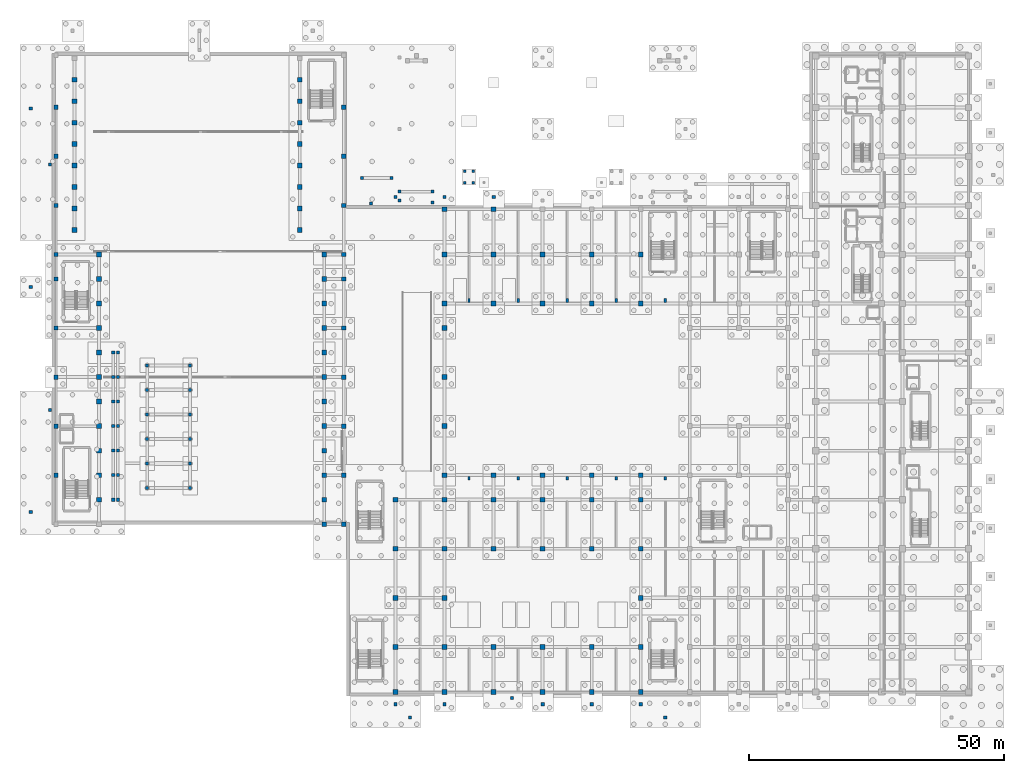
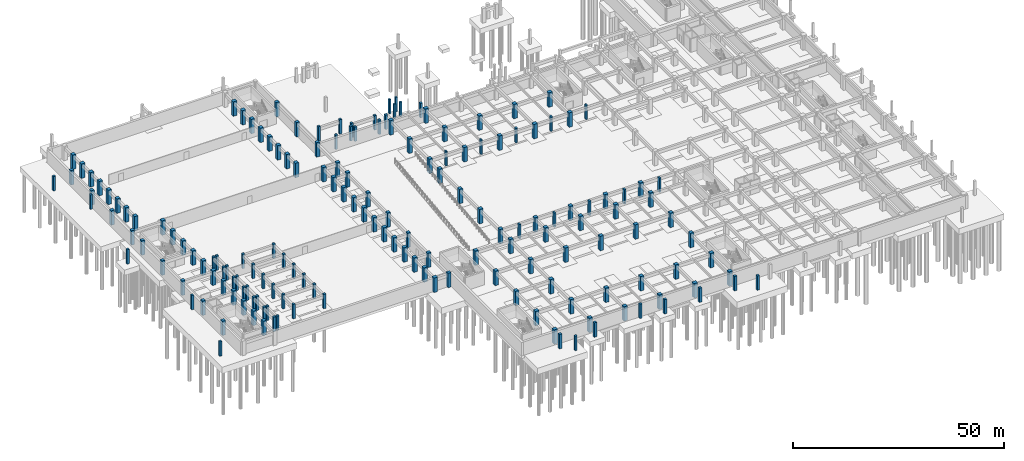
# One storey, part 6 of 39: 168 columns.
"""IFC4 building model written with IfcOpenShell, lengths in metres."""

from ifc_helpers import new_model, si_unit, direction, frame, origin, origin_2d, place, context, subcontext, project, spatial, rectangle, extrude, material, material_profile, profile_set, type_object, element, save


model = new_model("IFC4")

# Units and contexts
model_context = context("Model", 3, precision=1e-05, world=origin(), true_north=direction((0.0, 1.0)))
body_context = subcontext(model_context, "Body", "Model", "MODEL_VIEW")
ifc_project = project(units=[si_unit("LENGTHUNIT", "METRE"), si_unit("AREAUNIT", "SQUARE_METRE"), si_unit("VOLUMEUNIT", "CUBIC_METRE"), si_unit("PLANEANGLEUNIT", "RADIAN"), si_unit("MASSUNIT", "GRAM", prefix="KILO")], contexts=[model_context])

# Site, building, storey
site_placement = place(None, origin())
site = spatial("IfcSite", under=ifc_project, at=site_placement, CompositionType="ELEMENT")
building_placement = place(site_placement, origin())
building = spatial("IfcBuilding", under=site, at=building_placement, Name="Nakhvara Creek Congress Hotel", CompositionType="ELEMENT")
storey_placement = place(building_placement, frame((0.0, 0.0, -8.39990234375)))
storey = spatial("IfcBuildingStorey", under=building, at=storey_placement, Name="B2", CompositionType="ELEMENT", Elevation=-8.39990234375)

# Columns
ifc_material = material(Name="Concrete C50/60", Category="concrete")
ifc_material_profile_1 = material_profile(ifc_material, rectangle(XDim=0.5, YDim=0.5, at=origin_2d()), Name="RC-COL 500x500", Category="LoadBearing")
ifc_profile_set_1 = profile_set([ifc_material_profile_1], Name="Concrete C50/60")
column_type_1 = type_object("IfcColumnType", Name="COL-RC-500", PredefinedType="COLUMN", material=ifc_profile_set_1)
for number, where, z_axis, x_axis, name in (
    (1, (80.75, 100.449951171875, 0.0), (0.0, 0.0, 1.0), (1.0, 0.0, 0.0), "Forecourt Stair Sub-Pier ST21-B2-01"),
    (2, (80.75, 102.699951171875, 0.0), (0.0, 0.0, 1.0), (1.0, 0.0, 0.0), "Forecourt Stair Sub-Pier ST21-B2-02"),
    (3, (82.449951171875, 100.449951171875, 0.0), (0.0, 0.0, 1.0), (1.0, 0.0, 0.0), "Forecourt Stair Sub-Pier ST21-B2-03"),
    (4, (82.449951171875, 102.699951171875, 0.0), (0.0, 0.0, 1.0), (1.0, 0.0, 0.0), "Forecourt Stair Sub-Pier ST21-B2-04"),
):
    element("IfcColumn", number, at=place(storey_placement, frame(where, z_axis=z_axis, x_axis=x_axis)), inside=storey, type_object=column_type_1, Name=name, PredefinedType="COLUMN", context=body_context, shape_type="SweptSolid", body=[
        extrude(rectangle(XDim=0.5, YDim=0.5, at=origin_2d()), origin(), (0.0, 0.0, 1.0), 4.199951171875),
    ])
ifc_material_profile_2 = material_profile(ifc_material, rectangle(XDim=0.60009765625, YDim=0.60009765625, at=origin_2d()), Name="RC-COL 600x600", Category="LoadBearing")
ifc_profile_set_2 = profile_set([ifc_material_profile_2], Name="Concrete C50/60")
column_type_2 = type_object("IfcColumnType", Name="COL-RC-600", PredefinedType="COLUMN", material=ifc_profile_set_2)
for number, where, z_axis, x_axis, name in (
    (5, (11.949951171875, 38.39990234375, 0.0), (0.0, 0.0, 1.0), (1.0, 0.0, 0.0), "Column C08-B2-0039"),
    (6, (12.85009765625, 38.39990234375, 0.0), (0.0, 0.0, 1.0), (1.0, 0.0, 0.0), "Column C08-B2-0040"),
    (7, (11.949951171875, 43.199951171875, 0.0), (0.0, 0.0, 1.0), (1.0, 0.0, 0.0), "Column C08-B2-0041"),
    (8, (12.85009765625, 43.199951171875, 0.0), (0.0, 0.0, 1.0), (1.0, 0.0, 0.0), "Column C08-B2-0042"),
    (9, (11.949951171875, 48.0, 0.0), (0.0, 0.0, 1.0), (1.0, 0.0, 0.0), "Column C08-B2-0043"),
    (10, (12.85009765625, 48.0, 0.0), (0.0, 0.0, 1.0), (1.0, 0.0, 0.0), "Column C08-B2-0044"),
    (11, (11.949951171875, 52.800048828125, 0.0), (0.0, 0.0, 1.0), (1.0, 0.0, 0.0), "Column C08-B2-0045"),
    (12, (12.85009765625, 52.800048828125, 0.0), (0.0, 0.0, 1.0), (1.0, 0.0, 0.0), "Column C08-B2-0046"),
    (13, (11.949951171875, 57.60009765625, 0.0), (0.0, 0.0, 1.0), (1.0, 0.0, 0.0), "Column C08-B2-0047"),
    (14, (12.85009765625, 57.60009765625, 0.0), (0.0, 0.0, 1.0), (1.0, 0.0, 0.0), "Column C08-B2-0048"),
    (15, (11.949951171875, 62.39990234375, 0.0), (0.0, 0.0, 1.0), (1.0, 0.0, 0.0), "Column C08-B2-0049"),
    (16, (12.85009765625, 62.39990234375, 0.0), (0.0, 0.0, 1.0), (1.0, 0.0, 0.0), "Column C08-B2-0050"),
    (17, (11.949951171875, 67.199951171875, 0.0), (0.0, 0.0, 1.0), (1.0, 0.0, 0.0), "Column C08-B2-0051"),
    (18, (12.85009765625, 67.199951171875, 0.0), (0.0, 0.0, 1.0), (1.0, 0.0, 0.0), "Column C08-B2-0052"),
    (19, (18.60009765625, 40.699951171875, 0.0), (0.0, 0.0, 1.0), (1.0, 0.0, 0.0), "Column C08-B2-0053"),
    (20, (27.0, 40.699951171875, 0.0), (0.0, 0.0, 1.0), (1.0, 0.0, 0.0), "Column C08-B2-0054"),
    (21, (18.60009765625, 45.5, 0.0), (0.0, 0.0, 1.0), (1.0, 0.0, 0.0), "Column C08-B2-0055"),
    (22, (27.0, 45.5, 0.0), (0.0, 0.0, 1.0), (1.0, 0.0, 0.0), "Column C08-B2-0056"),
    (23, (18.60009765625, 50.300048828125, 0.0), (0.0, 0.0, 1.0), (1.0, 0.0, 0.0), "Column C08-B2-0057"),
    (24, (27.0, 50.300048828125, 0.0), (0.0, 0.0, 1.0), (1.0, 0.0, 0.0), "Column C08-B2-0058"),
    (25, (18.60009765625, 55.10009765625, 0.0), (0.0, 0.0, 1.0), (1.0, 0.0, 0.0), "Column C08-B2-0059"),
    (26, (27.0, 55.10009765625, 0.0), (0.0, 0.0, 1.0), (1.0, 0.0, 0.0), "Column C08-B2-0060"),
    (27, (18.60009765625, 59.89990234375, 0.0), (0.0, 0.0, 1.0), (1.0, 0.0, 0.0), "Column C08-B2-0061"),
    (28, (27.0, 59.89990234375, 0.0), (0.0, 0.0, 1.0), (1.0, 0.0, 0.0), "Column C08-B2-0062"),
    (29, (18.60009765625, 64.699951171875, 0.0), (0.0, 0.0, 1.0), (1.0, 0.0, 0.0), "Column C08-B2-0063"),
    (30, (27.0, 64.699951171875, 0.0), (0.0, 0.0, 1.0), (1.0, 0.0, 0.0), "Column C08-B2-0064"),
    (31, (68.0, 97.0, 0.0), (0.0, 0.0, 1.0), (1.0, 0.0, 0.0), "Column C08-B2-0247"),
    (32, (68.0, 98.699951171875, 0.0), (0.0, 0.0, 1.0), (1.0, 0.0, 0.0), "Column C08-B2-0256"),
    (33, (74.39990234375, 96.60009765625, 0.0), (0.0, 0.0, 1.0), (1.0, 0.0, 0.0), "Column C08-B2-0257"),
    (34, (74.39990234375, 98.699951171875, 0.0), (0.0, 0.0, 1.0), (1.0, 0.0, 0.0), "Column C08-B2-0258"),
    (35, (-4.199951171875, 36.0, 0.0), (0.0, 0.0, 1.0), (1.0, 0.0, 0.0), "Column C08-B2-0268"),
    (36, (-4.199951171875, 80.0, 0.0), (0.0, 0.0, 1.0), (1.0, 0.0, 0.0), "Column C08-B2-0269"),
    (37, (-4.199951171875, 115.0, 0.0), (0.0, 0.0, 1.0), (1.0, 0.0, 0.0), "Column C08-B2-0270"),
    (38, (-0.39990234375, 56.0, 0.0), (0.0, 0.0, 1.0), (1.0, 0.0, 0.0), "Column C08-B2-0271"),
    (39, (-0.39990234375, 104.0, 0.0), (0.0, 0.0, 1.0), (1.0, 0.0, 0.0), "Column C08-B2-0272"),
    (40, (60.60009765625, 101.39990234375, 0.0), (0.0, 0.0, 1.0), (1.0, 0.0, 0.0), "Column C08-B2-0277"),
    (41, (66.39990234375, 101.39990234375, 0.0), (0.0, 0.0, 1.0), (1.0, 0.0, 0.0), "Column C08-B2-0278"),
    (42, (62.39990234375, 96.39990234375, 0.0), (0.0, 0.0, 1.0), (1.0, 0.0, 0.0), "Column C08-B2-0279"),
    (43, (70.0, -4.199951171875, 0.0), (0.0, 0.0, 1.0), (1.0, 0.0, 0.0), "Column C08-B2-0289"),
    (44, (120.0, -4.199951171875, 0.0), (0.0, 0.0, 1.0), (1.0, 0.0, 0.0), "Column C08-B2-0290"),
    (45, (90.0, -0.39990234375, 0.0), (0.0, 0.0, 1.0), (1.0, 0.0, 0.0), "Column C08-B2-0292"),
):
    element("IfcColumn", number, at=place(storey_placement, frame(where, z_axis=z_axis, x_axis=x_axis)), inside=storey, type_object=column_type_2, Name=name, PredefinedType="COLUMN", context=body_context, shape_type="SweptSolid", body=[
        extrude(rectangle(XDim=0.60009765625, YDim=0.60009765625, at=origin_2d()), origin(), (0.0, 0.0, 1.0), 4.199951171875),
    ])
ifc_material_profile_3 = material_profile(ifc_material, rectangle(XDim=0.64990234375, YDim=0.64990234375, at=origin_2d()), Name="RC-COL 650x650", Category="LoadBearing")
ifc_profile_set_3 = profile_set([ifc_material_profile_3], Name="Concrete C50/60")
column_type_3 = type_object("IfcColumnType", Name="COL-RC-650", PredefinedType="COLUMN", material=ifc_profile_set_3)
for number, where, z_axis, x_axis, name in (
    (46, (76.800048828125, 97.64990234375, 0.0), (0.0, 0.0, 1.0), (1.0, 0.0, 0.0), "Column C07-B2-0175"),
    (47, (86.39990234375, 97.64990234375, 0.0), (0.0, 0.0, 1.0), (1.0, 0.0, 0.0), "Column C07-B2-0176"),
    (48, (67.199951171875, -1.64990234375, 0.0), (0.0, 0.0, 1.0), (1.0, 0.0, 0.0), "Column C07-B2-0181"),
    (49, (76.800048828125, -1.64990234375, 0.0), (0.0, 0.0, 1.0), (1.0, 0.0, 0.0), "Column C07-B2-0182"),
    (50, (96.0, -1.64990234375, 0.0), (0.0, 0.0, 1.0), (1.0, 0.0, 0.0), "Column C07-B2-0183"),
    (51, (105.60009765625, -1.64990234375, 0.0), (0.0, 0.0, 1.0), (1.0, 0.0, 0.0), "Column C07-B2-0184"),
    (52, (67.199951171875, 97.64990234375, 0.0), (0.0, 0.0, 1.0), (1.0, 0.0, 0.0), "Column C07-B2-0187"),
    (53, (115.199951171875, -1.64990234375, 0.0), (0.0, 0.0, 1.0), (1.0, 0.0, 0.0), "Column C07-B2-0189"),
):
    element("IfcColumn", number, at=place(storey_placement, frame(where, z_axis=z_axis, x_axis=x_axis)), inside=storey, type_object=column_type_3, Name=name, PredefinedType="COLUMN", context=body_context, shape_type="SweptSolid", body=[
        extrude(rectangle(XDim=0.64990234375, YDim=0.64990234375, at=origin_2d()), origin(), (0.0, 0.0, 1.0), 4.199951171875),
    ])
ifc_material_profile_4 = material_profile(ifc_material, rectangle(XDim=0.85009765625, YDim=0.85009765625, at=origin_2d()), Name="RC-COL 850x850", Category="LoadBearing")
ifc_profile_set_4 = profile_set([ifc_material_profile_4], Name="Concrete C50/60")
column_type_4 = type_object("IfcColumnType", Name="COL-RC-850", PredefinedType="COLUMN", material=ifc_profile_set_4)
for number, where, z_axis, x_axis, name in (
    (54, (57.050048828125, 33.60009765625, 0.0), (0.0, 0.0, 1.0), (1.0, 0.0, 0.0), "Column C18-B2-0002"),
    (55, (0.75, 43.199951171875, 0.0), (0.0, 0.0, 1.0), (1.0, 0.0, 0.0), "Column C18-B2-0003"),
    (56, (57.050048828125, 43.199951171875, 0.0), (0.0, 0.0, 1.0), (1.0, 0.0, 0.0), "Column C18-B2-0004"),
    (57, (0.75, 52.800048828125, 0.0), (0.0, 0.0, 1.0), (1.0, 0.0, 0.0), "Column C18-B2-0005"),
    (58, (57.050048828125, 52.800048828125, 0.0), (0.0, 0.0, 1.0), (1.0, 0.0, 0.0), "Column C18-B2-0006"),
    (59, (0.75, 62.39990234375, 0.0), (0.0, 0.0, 1.0), (1.0, 0.0, 0.0), "Column C18-B2-0007"),
    (60, (57.050048828125, 62.39990234375, 0.0), (0.0, 0.0, 1.0), (1.0, 0.0, 0.0), "Column C18-B2-0008"),
    (61, (0.75, 72.0, 0.0), (0.0, 0.0, 1.0), (1.0, 0.0, 0.0), "Column C18-B2-0009"),
    (62, (57.050048828125, 72.0, 0.0), (0.0, 0.0, 1.0), (1.0, 0.0, 0.0), "Column C18-B2-0010"),
    (63, (0.75, 81.60009765625, 0.0), (0.0, 0.0, 1.0), (1.0, 0.0, 0.0), "Column C18-B2-0011"),
    (64, (57.050048828125, 81.60009765625, 0.0), (0.0, 0.0, 1.0), (1.0, 0.0, 0.0), "Column C18-B2-0012"),
    (65, (0.75, 86.39990234375, 0.0), (0.0, 0.0, 1.0), (1.0, 0.0, 0.0), "Column C18-B2-0013"),
    (66, (57.050048828125, 86.39990234375, 0.0), (0.0, 0.0, 1.0), (1.0, 0.0, 0.0), "Column C18-B2-0014"),
    (67, (0.75, 96.0, 0.0), (0.0, 0.0, 1.0), (1.0, 0.0, 0.0), "Column C18-B2-0083"),
    (68, (57.050048828125, 96.0, 0.0), (0.0, 0.0, 1.0), (1.0, 0.0, 0.0), "Column C18-B2-0084"),
    (69, (0.75, 105.60009765625, 0.0), (0.0, 0.0, 1.0), (1.0, 0.0, 0.0), "Column C18-B2-0085"),
    (70, (57.050048828125, 105.60009765625, 0.0), (0.0, 0.0, 1.0), (1.0, 0.0, 0.0), "Column C18-B2-0086"),
    (71, (0.75, 115.199951171875, 0.0), (0.0, 0.0, 1.0), (1.0, 0.0, 0.0), "Column C18-B2-0087"),
    (72, (57.050048828125, 115.199951171875, 0.0), (0.0, 0.0, 1.0), (1.0, 0.0, 0.0), "Column C18-B2-0088"),
):
    element("IfcColumn", number, at=place(storey_placement, frame(where, z_axis=z_axis, x_axis=x_axis)), inside=storey, type_object=column_type_4, Name=name, PredefinedType="COLUMN", context=body_context, shape_type="SweptSolid", body=[
        extrude(rectangle(XDim=0.85009765625, YDim=0.85009765625, at=origin_2d()), origin(), (0.0, 0.0, 1.0), 4.199951171875),
    ])
ifc_material_profile_5 = material_profile(ifc_material, rectangle(XDim=0.949951171875, YDim=0.949951171875, at=origin_2d()), Name="RC-COL 950x950", Category="LoadBearing")
ifc_profile_set_5 = profile_set([ifc_material_profile_5], Name="Concrete C50/60")
column_type_5 = type_object("IfcColumnType", Name="COL-RC-950", PredefinedType="COLUMN", material=ifc_profile_set_5)
for number, where, z_axis, x_axis, name in (
    (73, (53.25, 33.60009765625, 0.0), (0.0, 0.0, 1.0), (1.0, 0.0, 0.0), "Column C17-B2-0016"),
    (74, (9.14990234375, 38.39990234375, 0.0), (0.0, 0.0, 1.0), (1.0, 0.0, 0.0), "Column C17-B2-0017"),
    (75, (53.25, 38.39990234375, 0.0), (0.0, 0.0, 1.0), (1.0, 0.0, 0.0), "Column C17-B2-0018"),
    (76, (9.14990234375, 43.199951171875, 0.0), (0.0, 0.0, 1.0), (1.0, 0.0, 0.0), "Column C17-B2-0019"),
    (77, (53.25, 43.199951171875, 0.0), (0.0, 0.0, 1.0), (1.0, 0.0, 0.0), "Column C17-B2-0020"),
    (78, (9.14990234375, 48.0, 0.0), (0.0, 0.0, 1.0), (1.0, 0.0, 0.0), "Column C17-B2-0021"),
    (79, (53.25, 48.0, 0.0), (0.0, 0.0, 1.0), (1.0, 0.0, 0.0), "Column C17-B2-0022"),
    (80, (9.14990234375, 52.800048828125, 0.0), (0.0, 0.0, 1.0), (1.0, 0.0, 0.0), "Column C17-B2-0023"),
    (81, (53.25, 52.800048828125, 0.0), (0.0, 0.0, 1.0), (1.0, 0.0, 0.0), "Column C17-B2-0024"),
    (82, (9.14990234375, 57.60009765625, 0.0), (0.0, 0.0, 1.0), (1.0, 0.0, 0.0), "Column C17-B2-0025"),
    (83, (53.25, 57.60009765625, 0.0), (0.0, 0.0, 1.0), (1.0, 0.0, 0.0), "Column C17-B2-0026"),
    (84, (9.14990234375, 62.39990234375, 0.0), (0.0, 0.0, 1.0), (1.0, 0.0, 0.0), "Column C17-B2-0027"),
    (85, (53.25, 62.39990234375, 0.0), (0.0, 0.0, 1.0), (1.0, 0.0, 0.0), "Column C17-B2-0028"),
    (86, (9.14990234375, 67.199951171875, 0.0), (0.0, 0.0, 1.0), (1.0, 0.0, 0.0), "Column C17-B2-0029"),
    (87, (53.25, 67.199951171875, 0.0), (0.0, 0.0, 1.0), (1.0, 0.0, 0.0), "Column C17-B2-0030"),
    (88, (9.14990234375, 72.0, 0.0), (0.0, 0.0, 1.0), (1.0, 0.0, 0.0), "Column C17-B2-0031"),
    (89, (53.25, 72.0, 0.0), (0.0, 0.0, 1.0), (1.0, 0.0, 0.0), "Column C17-B2-0032"),
    (90, (9.14990234375, 76.800048828125, 0.0), (0.0, 0.0, 1.0), (1.0, 0.0, 0.0), "Column C17-B2-0033"),
    (91, (53.25, 76.800048828125, 0.0), (0.0, 0.0, 1.0), (1.0, 0.0, 0.0), "Column C17-B2-0034"),
    (92, (9.14990234375, 81.60009765625, 0.0), (0.0, 0.0, 1.0), (1.0, 0.0, 0.0), "Column C17-B2-0035"),
    (93, (53.25, 81.60009765625, 0.0), (0.0, 0.0, 1.0), (1.0, 0.0, 0.0), "Column C17-B2-0036"),
    (94, (9.14990234375, 86.39990234375, 0.0), (0.0, 0.0, 1.0), (1.0, 0.0, 0.0), "Column C17-B2-0037"),
    (95, (53.25, 86.39990234375, 0.0), (0.0, 0.0, 1.0), (1.0, 0.0, 0.0), "Column C17-B2-0038"),
    (96, (4.35009765625, 91.199951171875, 0.0), (0.0, 0.0, 1.0), (1.0, 0.0, 0.0), "Column C17-B2-0065"),
    (97, (48.449951171875, 91.199951171875, 0.0), (0.0, 0.0, 1.0), (1.0, 0.0, 0.0), "Column C17-B2-0066"),
    (98, (4.35009765625, 95.39990234375, 0.0), (0.0, 0.0, 1.0), (1.0, 0.0, 0.0), "Column C17-B2-0067"),
    (99, (48.449951171875, 95.39990234375, 0.0), (0.0, 0.0, 1.0), (1.0, 0.0, 0.0), "Column C17-B2-0068"),
    (100, (4.35009765625, 99.60009765625, 0.0), (0.0, 0.0, 1.0), (1.0, 0.0, 0.0), "Column C17-B2-0069"),
    (101, (48.449951171875, 99.60009765625, 0.0), (0.0, 0.0, 1.0), (1.0, 0.0, 0.0), "Column C17-B2-0070"),
    (102, (4.35009765625, 103.800048828125, 0.0), (0.0, 0.0, 1.0), (1.0, 0.0, 0.0), "Column C17-B2-0071"),
    (103, (48.449951171875, 103.800048828125, 0.0), (0.0, 0.0, 1.0), (1.0, 0.0, 0.0), "Column C17-B2-0072"),
    (104, (4.35009765625, 108.0, 0.0), (0.0, 0.0, 1.0), (1.0, 0.0, 0.0), "Column C17-B2-0073"),
    (105, (48.449951171875, 108.0, 0.0), (0.0, 0.0, 1.0), (1.0, 0.0, 0.0), "Column C17-B2-0074"),
    (106, (4.35009765625, 112.199951171875, 0.0), (0.0, 0.0, 1.0), (1.0, 0.0, 0.0), "Column C17-B2-0075"),
    (107, (48.449951171875, 112.199951171875, 0.0), (0.0, 0.0, 1.0), (1.0, 0.0, 0.0), "Column C17-B2-0076"),
    (108, (4.35009765625, 116.39990234375, 0.0), (0.0, 0.0, 1.0), (1.0, 0.0, 0.0), "Column C17-B2-0077"),
    (109, (48.449951171875, 116.39990234375, 0.0), (0.0, 0.0, 1.0), (1.0, 0.0, 0.0), "Column C17-B2-0078"),
    (110, (4.35009765625, 120.60009765625, 0.0), (0.0, 0.0, 1.0), (1.0, 0.0, 0.0), "Column C17-B2-0079"),
    (111, (48.449951171875, 120.60009765625, 0.0), (0.0, 0.0, 1.0), (1.0, 0.0, 0.0), "Column C17-B2-0080"),
    (112, (67.199951171875, 0.75, 0.0), (0.0, 0.0, 1.0), (1.0, 0.0, 0.0), "Column C17-B2-0091"),
    (113, (67.199951171875, 9.60009765625, 0.0), (0.0, 0.0, 1.0), (1.0, 0.0, 0.0), "Column C17-B2-0092"),
    (114, (67.199951171875, 19.199951171875, 0.0), (0.0, 0.0, 1.0), (1.0, 0.0, 0.0), "Column C17-B2-0093"),
    (115, (67.199951171875, 28.800048828125, 0.0), (0.0, 0.0, 1.0), (1.0, 0.0, 0.0), "Column C17-B2-0094"),
    (116, (67.199951171875, 38.39990234375, 0.0), (0.0, 0.0, 1.0), (1.0, 0.0, 0.0), "Column C17-B2-0095"),
    (117, (76.800048828125, 0.75, 0.0), (0.0, 0.0, 1.0), (1.0, 0.0, 0.0), "Column C17-B2-0096"),
    (118, (76.800048828125, 9.60009765625, 0.0), (0.0, 0.0, 1.0), (1.0, 0.0, 0.0), "Column C17-B2-0097"),
    (119, (76.800048828125, 19.199951171875, 0.0), (0.0, 0.0, 1.0), (1.0, 0.0, 0.0), "Column C17-B2-0098"),
    (120, (76.800048828125, 28.800048828125, 0.0), (0.0, 0.0, 1.0), (1.0, 0.0, 0.0), "Column C17-B2-0099"),
    (121, (76.800048828125, 38.39990234375, 0.0), (0.0, 0.0, 1.0), (1.0, 0.0, 0.0), "Column C17-B2-0100"),
    (122, (76.800048828125, 43.199951171875, 0.0), (0.0, 0.0, 1.0), (1.0, 0.0, 0.0), "Column C17-B2-0101"),
    (123, (76.800048828125, 52.800048828125, 0.0), (0.0, 0.0, 1.0), (1.0, 0.0, 0.0), "Column C17-B2-0102"),
    (124, (76.800048828125, 62.39990234375, 0.0), (0.0, 0.0, 1.0), (1.0, 0.0, 0.0), "Column C17-B2-0103"),
    (125, (76.800048828125, 72.0, 0.0), (0.0, 0.0, 1.0), (1.0, 0.0, 0.0), "Column C17-B2-0104"),
    (126, (76.800048828125, 76.800048828125, 0.0), (0.0, 0.0, 1.0), (1.0, 0.0, 0.0), "Column C17-B2-0105"),
    (127, (76.800048828125, 86.39990234375, 0.0), (0.0, 0.0, 1.0), (1.0, 0.0, 0.0), "Column C17-B2-0106"),
    (128, (76.800048828125, 95.25, 0.0), (0.0, 0.0, 1.0), (1.0, 0.0, 0.0), "Column C17-B2-0107"),
    (129, (86.39990234375, 0.75, 0.0), (0.0, 0.0, 1.0), (1.0, 0.0, 0.0), "Column C17-B2-0108"),
    (130, (86.39990234375, 9.60009765625, 0.0), (0.0, 0.0, 1.0), (1.0, 0.0, 0.0), "Column C17-B2-0109"),
    (131, (86.39990234375, 28.800048828125, 0.0), (0.0, 0.0, 1.0), (1.0, 0.0, 0.0), "Column C17-B2-0110"),
    (132, (86.39990234375, 38.39990234375, 0.0), (0.0, 0.0, 1.0), (1.0, 0.0, 0.0), "Column C17-B2-0111"),
    (133, (86.39990234375, 43.199951171875, 0.0), (0.0, 0.0, 1.0), (1.0, 0.0, 0.0), "Column C17-B2-0112"),
    (134, (86.39990234375, 76.800048828125, 0.0), (0.0, 0.0, 1.0), (1.0, 0.0, 0.0), "Column C17-B2-0113"),
    (135, (86.39990234375, 86.39990234375, 0.0), (0.0, 0.0, 1.0), (1.0, 0.0, 0.0), "Column C17-B2-0114"),
    (136, (86.39990234375, 95.25, 0.0), (0.0, 0.0, 1.0), (1.0, 0.0, 0.0), "Column C17-B2-0115"),
    (137, (96.0, 0.75, 0.0), (0.0, 0.0, 1.0), (1.0, 0.0, 0.0), "Column C17-B2-0116"),
    (138, (96.0, 9.60009765625, 0.0), (0.0, 0.0, 1.0), (1.0, 0.0, 0.0), "Column C17-B2-0117"),
    (139, (96.0, 28.800048828125, 0.0), (0.0, 0.0, 1.0), (1.0, 0.0, 0.0), "Column C17-B2-0118"),
    (140, (96.0, 38.39990234375, 0.0), (0.0, 0.0, 1.0), (1.0, 0.0, 0.0), "Column C17-B2-0119"),
    (141, (96.0, 43.199951171875, 0.0), (0.0, 0.0, 1.0), (1.0, 0.0, 0.0), "Column C17-B2-0120"),
    (142, (96.0, 76.800048828125, 0.0), (0.0, 0.0, 1.0), (1.0, 0.0, 0.0), "Column C17-B2-0121"),
    (143, (96.0, 86.39990234375, 0.0), (0.0, 0.0, 1.0), (1.0, 0.0, 0.0), "Column C17-B2-0122"),
    (144, (105.60009765625, 0.75, 0.0), (0.0, 0.0, 1.0), (1.0, 0.0, 0.0), "Column C17-B2-0124"),
    (145, (105.60009765625, 9.60009765625, 0.0), (0.0, 0.0, 1.0), (1.0, 0.0, 0.0), "Column C17-B2-0125"),
    (146, (105.60009765625, 28.800048828125, 0.0), (0.0, 0.0, 1.0), (1.0, 0.0, 0.0), "Column C17-B2-0126"),
    (147, (105.60009765625, 38.39990234375, 0.0), (0.0, 0.0, 1.0), (1.0, 0.0, 0.0), "Column C17-B2-0127"),
    (148, (105.60009765625, 43.199951171875, 0.0), (0.0, 0.0, 1.0), (1.0, 0.0, 0.0), "Column C17-B2-0128"),
    (149, (105.60009765625, 76.800048828125, 0.0), (0.0, 0.0, 1.0), (1.0, 0.0, 0.0), "Column C17-B2-0129"),
    (150, (105.60009765625, 86.39990234375, 0.0), (0.0, 0.0, 1.0), (1.0, 0.0, 0.0), "Column C17-B2-0130"),
    (151, (115.199951171875, 0.75, 0.0), (0.0, 0.0, 1.0), (1.0, 0.0, 0.0), "Column C17-B2-0132"),
    (152, (115.199951171875, 9.60009765625, 0.0), (0.0, 0.0, 1.0), (1.0, 0.0, 0.0), "Column C17-B2-0133"),
    (153, (115.199951171875, 19.199951171875, 0.0), (0.0, 0.0, 1.0), (1.0, 0.0, 0.0), "Column C17-B2-0134"),
    (154, (115.199951171875, 28.800048828125, 0.0), (0.0, 0.0, 1.0), (1.0, 0.0, 0.0), "Column C17-B2-0135"),
    (155, (115.199951171875, 38.39990234375, 0.0), (0.0, 0.0, 1.0), (1.0, 0.0, 0.0), "Column C17-B2-0136"),
    (156, (115.199951171875, 43.199951171875, 0.0), (0.0, 0.0, 1.0), (1.0, 0.0, 0.0), "Column C17-B2-0137"),
    (157, (115.199951171875, 76.800048828125, 0.0), (0.0, 0.0, 1.0), (1.0, 0.0, 0.0), "Column C17-B2-0138"),
    (158, (115.199951171875, 86.39990234375, 0.0), (0.0, 0.0, 1.0), (1.0, 0.0, 0.0), "Column C17-B2-0139"),
):
    element("IfcColumn", number, at=place(storey_placement, frame(where, z_axis=z_axis, x_axis=x_axis)), inside=storey, type_object=column_type_5, Name=name, PredefinedType="COLUMN", context=body_context, shape_type="SweptSolid", body=[
        extrude(rectangle(XDim=0.949951171875, YDim=0.949951171875, at=origin_2d()), origin(), (0.0, 0.0, 1.0), 4.199951171875),
    ])
ifc_material_profile_6 = material_profile(ifc_material, rectangle(XDim=0.449951171875, YDim=0.75, at=origin_2d()), Name="RC-PIL 450x750", Category="LoadBearing")
ifc_profile_set_6 = profile_set([ifc_material_profile_6], Name="Concrete C50/60")
column_type_6 = type_object("IfcColumnType", Name="PIL-RC-450X750", PredefinedType="PILASTER", material=ifc_profile_set_6)
for number, where, z_axis, x_axis, name in (
    (159, (81.60009765625, 42.60009765625, 0.0), (0.0, 0.0, 1.0), (1.0, 0.0, 0.0), "Pilaster Pier PL2-B2-001"),
    (160, (91.199951171875, 42.60009765625, 0.0), (0.0, 0.0, 1.0), (1.0, 0.0, 0.0), "Pilaster Pier PL2-B2-002"),
    (161, (100.800048828125, 42.60009765625, 0.0), (0.0, 0.0, 1.0), (1.0, 0.0, 0.0), "Pilaster Pier PL2-B2-003"),
    (162, (110.39990234375, 42.60009765625, 0.0), (0.0, 0.0, 1.0), (1.0, 0.0, 0.0), "Pilaster Pier PL2-B2-004"),
    (163, (120.0, 42.60009765625, 0.0), (0.0, 0.0, 1.0), (1.0, 0.0, 0.0), "Pilaster Pier PL2-B2-005"),
    (164, (81.60009765625, 77.39990234375, 0.0), (0.0, 0.0, 1.0), (1.0, 0.0, 0.0), "Pilaster Pier PL2-B2-006"),
    (165, (91.199951171875, 77.39990234375, 0.0), (0.0, 0.0, 1.0), (1.0, 0.0, 0.0), "Pilaster Pier PL2-B2-007"),
    (166, (100.800048828125, 77.39990234375, 0.0), (0.0, 0.0, 1.0), (1.0, 0.0, 0.0), "Pilaster Pier PL2-B2-008"),
    (167, (110.39990234375, 77.39990234375, 0.0), (0.0, 0.0, 1.0), (1.0, 0.0, 0.0), "Pilaster Pier PL2-B2-009"),
    (168, (120.0, 77.39990234375, 0.0), (0.0, 0.0, 1.0), (1.0, 0.0, 0.0), "Pilaster Pier PL2-B2-010"),
):
    element("IfcColumn", number, at=place(storey_placement, frame(where, z_axis=z_axis, x_axis=x_axis)), inside=storey, type_object=column_type_6, Name=name, PredefinedType="PILASTER", context=body_context, shape_type="SweptSolid", body=[
        extrude(rectangle(XDim=0.449951171875, YDim=0.75, at=origin_2d()), origin(), (0.0, 0.0, 1.0), 4.199951171875),
    ])

save(model, "model.ifc")
